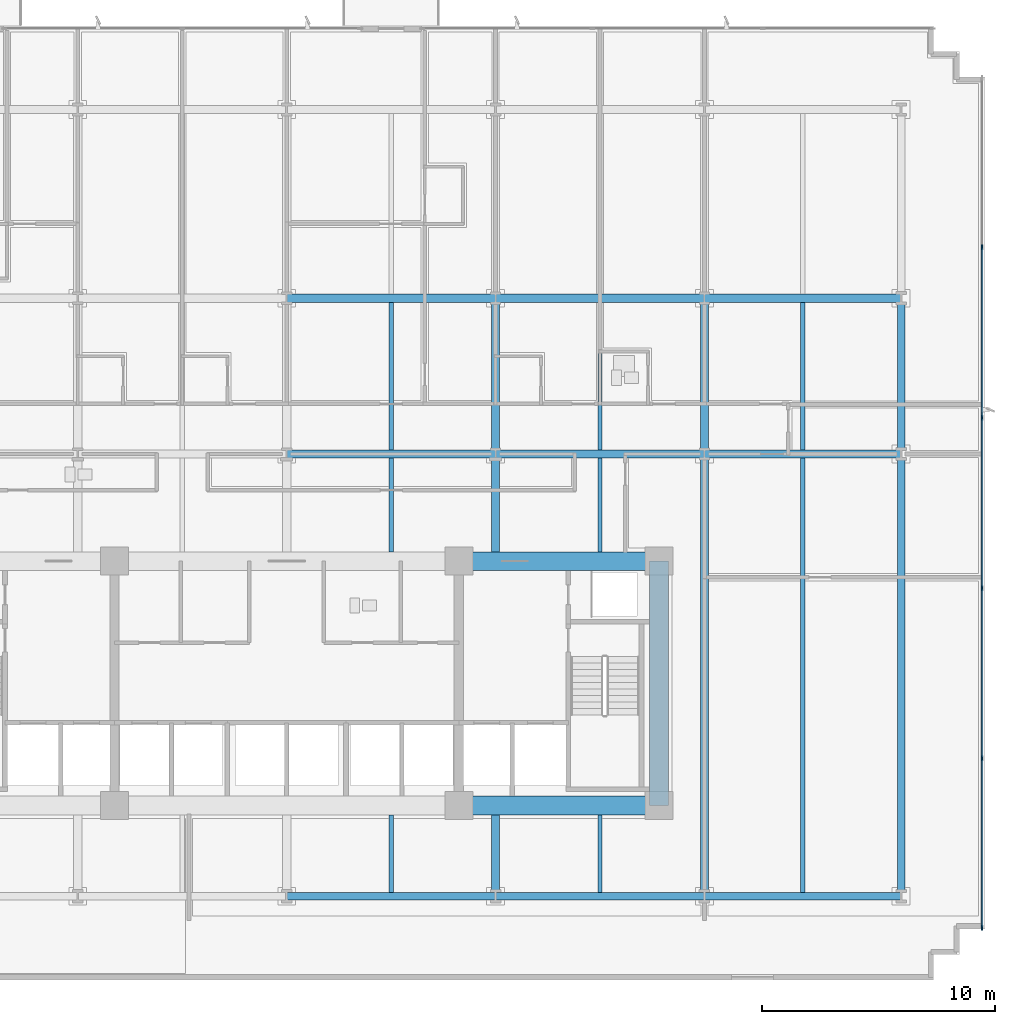
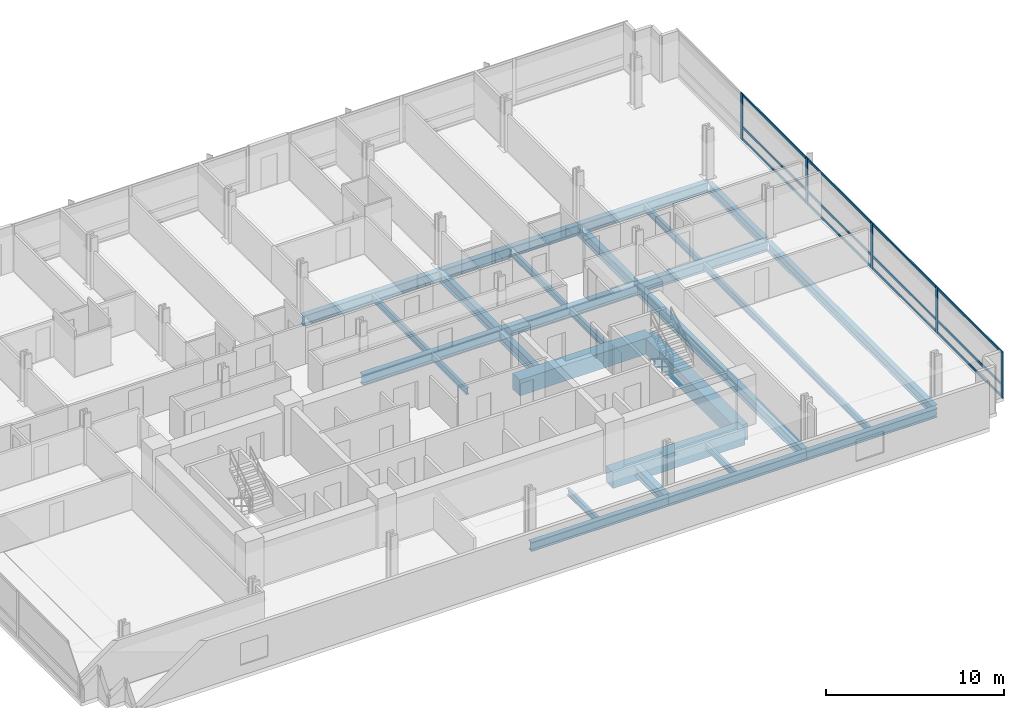
# One storey, part 4 of 16: 27 beams, 17 members, 1 element without a shape of its own.
"""IFC4 building model written with IfcOpenShell, lengths in metres."""

from ifc_helpers import new_model, si_unit, direction, frame, origin, origin_2d, place, context, subcontext, project, spatial, rectangle, i_section, extrude, material, material_profile, profile_set, type_object, element, aggregate, save


model = new_model("IFC4")

# Units and contexts
model_context = context("Model", 3, precision=1e-05, world=origin(), true_north=direction((0.0, 1.0)))
body_context = subcontext(model_context, "Body", "Model", "MODEL_VIEW")
ifc_project = project(units=[si_unit("LENGTHUNIT", "METRE"), si_unit("AREAUNIT", "SQUARE_METRE"), si_unit("VOLUMEUNIT", "CUBIC_METRE"), si_unit("PLANEANGLEUNIT", "RADIAN"), si_unit("MASSUNIT", "GRAM", prefix="KILO")], contexts=[model_context])

# Site, building, storey
site_placement = place(None, origin())
site = spatial("IfcSite", under=ifc_project, at=site_placement, CompositionType="ELEMENT")
building_placement = place(site_placement, origin())
building = spatial("IfcBuilding", under=site, at=building_placement, Name="Solmavex Isthmus Hotel", CompositionType="ELEMENT")
storey_placement = place(building_placement, frame((0.0, 0.0, 67.800048828125)))
storey = spatial("IfcBuildingStorey", under=building, at=storey_placement, Name="L18", CompositionType="ELEMENT", Elevation=67.800048828125)

# Beams
ifc_material_1 = material(Name="Steel ASTM A992 Grade 50", Category="steel")
ifc_material_profile_1 = material_profile(ifc_material_1, i_section(OverallWidth=0.354736328125, OverallDepth=0.695556640625, WebThickness=0.015380859375, FlangeThickness=0.02490234375, FilletRadius=0.017822265625, at=origin_2d()), Name="W27X146")
ifc_profile_set_1 = profile_set([ifc_material_profile_1], Name="Steel ASTM A992 Grade 50")
beam_type_1 = type_object("IfcBeamType", Name="BM-BG-W27X146", PredefinedType="BEAM", material=ifc_profile_set_1)
beam_1_placement = place(storey_placement, frame((0.0, 2.10009765625, -0.60791015625), z_axis=(1.0, 0.0, 0.0), x_axis=(0.0, 1.0, 0.0)))
element("IfcBeam", 1, at=beam_1_placement, inside=storey, type_object=beam_type_1, Name="Floor Girder L18-UG10", PredefinedType="BEAM", context=body_context, shape_type="SweptSolid", body=[
    extrude(i_section(OverallWidth=0.354736328125, OverallDepth=0.695556640625, WebThickness=0.015380859375, FlangeThickness=0.02490234375, FilletRadius=0.017822265625, at=origin_2d()), origin(), (0.0, 0.0, 1.0), 8.97607421875),
])
beam_2_placement = place(storey_placement, frame((8.97607421875, 2.10009765625, -0.60791015625), z_axis=(1.0, 0.0, 0.0), x_axis=(0.0, 1.0, 0.0)))
element("IfcBeam", 2, at=beam_2_placement, inside=storey, type_object=beam_type_1, Name="Floor Girder L18-UG11", PredefinedType="BEAM", context=body_context, shape_type="SweptSolid", body=[
    extrude(i_section(OverallWidth=0.354736328125, OverallDepth=0.695556640625, WebThickness=0.015380859375, FlangeThickness=0.02490234375, FilletRadius=0.017822265625, at=origin_2d()), origin(), (0.0, 0.0, 1.0), 8.975830078125),
])
beam_3_placement = place(storey_placement, frame((17.951904296875, 2.10009765625, -0.60791015625), z_axis=(1.0, 0.0, 0.0), x_axis=(0.0, 1.0, 0.0)))
element("IfcBeam", 3, at=beam_3_placement, inside=storey, type_object=beam_type_1, Name="Floor Girder L18-UG12", PredefinedType="BEAM", context=body_context, shape_type="SweptSolid", body=[
    extrude(i_section(OverallWidth=0.354736328125, OverallDepth=0.695556640625, WebThickness=0.015380859375, FlangeThickness=0.02490234375, FilletRadius=0.017822265625, at=origin_2d()), origin(), (0.0, 0.0, 1.0), 8.447998046875),
])
beam_4_placement = place(storey_placement, frame((0.0, 8.7880859375, -0.60791015625), z_axis=(1.0, 0.0, 0.0), x_axis=(0.0, 1.0, 0.0)))
element("IfcBeam", 4, at=beam_4_placement, inside=storey, type_object=beam_type_1, Name="Floor Girder L18-UG16", PredefinedType="BEAM", context=body_context, shape_type="SweptSolid", body=[
    extrude(i_section(OverallWidth=0.354736328125, OverallDepth=0.695556640625, WebThickness=0.015380859375, FlangeThickness=0.02490234375, FilletRadius=0.017822265625, at=origin_2d()), origin(), (0.0, 0.0, 1.0), 8.97607421875),
])
beam_5_placement = place(storey_placement, frame((8.97607421875, 8.7880859375, -0.60791015625), z_axis=(1.0, 0.0, 0.0), x_axis=(0.0, 1.0, 0.0)))
element("IfcBeam", 5, at=beam_5_placement, inside=storey, type_object=beam_type_1, Name="Floor Girder L18-UG17", PredefinedType="BEAM", context=body_context, shape_type="SweptSolid", body=[
    extrude(i_section(OverallWidth=0.354736328125, OverallDepth=0.695556640625, WebThickness=0.015380859375, FlangeThickness=0.02490234375, FilletRadius=0.017822265625, at=origin_2d()), origin(), (0.0, 0.0, 1.0), 8.975830078125),
])
beam_6_placement = place(storey_placement, frame((17.951904296875, 8.7880859375, -0.60791015625), z_axis=(1.0, 0.0, 0.0), x_axis=(0.0, 1.0, 0.0)))
element("IfcBeam", 6, at=beam_6_placement, inside=storey, type_object=beam_type_1, Name="Floor Girder L18-UG18", PredefinedType="BEAM", context=body_context, shape_type="SweptSolid", body=[
    extrude(i_section(OverallWidth=0.354736328125, OverallDepth=0.695556640625, WebThickness=0.015380859375, FlangeThickness=0.02490234375, FilletRadius=0.017822265625, at=origin_2d()), origin(), (0.0, 0.0, 1.0), 8.447998046875),
])
beam_7_placement = place(storey_placement, frame((8.97607421875, -16.73681640625, -0.60791015625), z_axis=(0.0, 1.0, 0.0), x_axis=(-1.0, 0.0, 0.0)))
element("IfcBeam", 7, at=beam_7_placement, inside=storey, type_object=beam_type_1, Name="Floor Beam L18-VG39", PredefinedType="BEAM", context=body_context, shape_type="SweptSolid", body=[
    extrude(i_section(OverallWidth=0.354736328125, OverallDepth=0.695556640625, WebThickness=0.015380859375, FlangeThickness=0.02490234375, FilletRadius=0.017822265625, at=origin_2d()), origin(), (0.0, 0.0, 1.0), 3.3369140625),
])
beam_8_placement = place(storey_placement, frame((8.97607421875, -2.10009765625, -0.60791015625), z_axis=(0.0, 1.0, 0.0), x_axis=(-1.0, 0.0, 0.0)))
element("IfcBeam", 8, at=beam_8_placement, inside=storey, type_object=beam_type_1, Name="Floor Beam L18-VG40", PredefinedType="BEAM", context=body_context, shape_type="SweptSolid", body=[
    extrude(i_section(OverallWidth=0.354736328125, OverallDepth=0.695556640625, WebThickness=0.015380859375, FlangeThickness=0.02490234375, FilletRadius=0.017822265625, at=origin_2d()), origin(), (0.0, 0.0, 1.0), 4.022705078125),
])
beam_9_placement = place(storey_placement, frame((8.97607421875, 2.27734375, -0.60791015625), z_axis=(0.0, 1.0, 0.0), x_axis=(-1.0, 0.0, 0.0)))
element("IfcBeam", 9, at=beam_9_placement, inside=storey, type_object=beam_type_1, Name="Floor Beam L18-VG41", PredefinedType="BEAM", context=body_context, shape_type="SweptSolid", body=[
    extrude(i_section(OverallWidth=0.354736328125, OverallDepth=0.695556640625, WebThickness=0.015380859375, FlangeThickness=0.02490234375, FilletRadius=0.017822265625, at=origin_2d()), origin(), (0.0, 0.0, 1.0), 6.333251953125),
])
beam_10_placement = place(storey_placement, frame((17.951904296875, -16.73681640625, -0.60791015625), z_axis=(0.0, 1.0, 0.0), x_axis=(-1.0, 0.0, 0.0)))
element("IfcBeam", 10, at=beam_10_placement, inside=storey, type_object=beam_type_1, Name="Floor Beam L18-VG43", PredefinedType="BEAM", context=body_context, shape_type="SweptSolid", body=[
    extrude(i_section(OverallWidth=0.354736328125, OverallDepth=0.695556640625, WebThickness=0.015380859375, FlangeThickness=0.02490234375, FilletRadius=0.017822265625, at=origin_2d()), origin(), (0.0, 0.0, 1.0), 18.659423828125),
])
beam_11_placement = place(storey_placement, frame((17.951904296875, 2.27734375, -0.60791015625), z_axis=(0.0, 1.0, 0.0), x_axis=(-1.0, 0.0, 0.0)))
element("IfcBeam", 11, at=beam_11_placement, inside=storey, type_object=beam_type_1, Name="Floor Beam L18-VG44", PredefinedType="BEAM", context=body_context, shape_type="SweptSolid", body=[
    extrude(i_section(OverallWidth=0.354736328125, OverallDepth=0.695556640625, WebThickness=0.015380859375, FlangeThickness=0.02490234375, FilletRadius=0.017822265625, at=origin_2d()), origin(), (0.0, 0.0, 1.0), 6.333251953125),
])
ifc_material_profile_2 = material_profile(ifc_material_1, i_section(OverallWidth=0.1904296875, OverallDepth=0.456787109375, WebThickness=0.009033203125, FlangeThickness=0.014404296875, FilletRadius=0.0126953125, at=origin_2d()), Name="W18X50")
ifc_profile_set_2 = profile_set([ifc_material_profile_2], Name="Steel ASTM A992 Grade 50")
beam_type_2 = type_object("IfcBeamType", Name="BM-BJ-W18X50", PredefinedType="JOIST", material=ifc_profile_set_2)
beam_12_placement = place(storey_placement, frame((4.488037109375, -16.73681640625, -0.488525390625), z_axis=(0.0, 1.0, 0.0), x_axis=(-1.0, 0.0, 0.0)))
element("IfcBeam", 12, at=beam_12_placement, inside=storey, type_object=beam_type_2, Name="Secondary Floor Joist L18-J12", PredefinedType="JOIST", context=body_context, shape_type="SweptSolid", body=[
    extrude(i_section(OverallWidth=0.1904296875, OverallDepth=0.456787109375, WebThickness=0.009033203125, FlangeThickness=0.014404296875, FilletRadius=0.0126953125, at=origin_2d()), origin(), (0.0, 0.0, 1.0), 3.3369140625),
])
beam_13_placement = place(storey_placement, frame((4.488037109375, -2.10009765625, -0.488525390625), z_axis=(0.0, 1.0, 0.0), x_axis=(-1.0, 0.0, 0.0)))
element("IfcBeam", 13, at=beam_13_placement, inside=storey, type_object=beam_type_2, Name="Secondary Floor Joist L18-J13", PredefinedType="JOIST", context=body_context, shape_type="SweptSolid", body=[
    extrude(i_section(OverallWidth=0.1904296875, OverallDepth=0.456787109375, WebThickness=0.009033203125, FlangeThickness=0.014404296875, FilletRadius=0.0126953125, at=origin_2d()), origin(), (0.0, 0.0, 1.0), 4.022705078125),
])
beam_14_placement = place(storey_placement, frame((4.488037109375, 2.27734375, -0.488525390625), z_axis=(0.0, 1.0, 0.0), x_axis=(-1.0, 0.0, 0.0)))
element("IfcBeam", 14, at=beam_14_placement, inside=storey, type_object=beam_type_2, Name="Secondary Floor Joist L18-J14", PredefinedType="JOIST", context=body_context, shape_type="SweptSolid", body=[
    extrude(i_section(OverallWidth=0.1904296875, OverallDepth=0.456787109375, WebThickness=0.009033203125, FlangeThickness=0.014404296875, FilletRadius=0.0126953125, at=origin_2d()), origin(), (0.0, 0.0, 1.0), 6.333251953125),
])
beam_15_placement = place(storey_placement, frame((13.464111328125, -16.73681640625, -0.488525390625), z_axis=(0.0, 1.0, 0.0), x_axis=(-1.0, 0.0, 0.0)))
element("IfcBeam", 15, at=beam_15_placement, inside=storey, type_object=beam_type_2, Name="Secondary Floor Joist L18-J16", PredefinedType="JOIST", context=body_context, shape_type="SweptSolid", body=[
    extrude(i_section(OverallWidth=0.1904296875, OverallDepth=0.456787109375, WebThickness=0.009033203125, FlangeThickness=0.014404296875, FilletRadius=0.0126953125, at=origin_2d()), origin(), (0.0, 0.0, 1.0), 3.3369140625),
])
beam_16_placement = place(storey_placement, frame((13.464111328125, -2.10009765625, -0.488525390625), z_axis=(0.0, 1.0, 0.0), x_axis=(-1.0, 0.0, 0.0)))
element("IfcBeam", 16, at=beam_16_placement, inside=storey, type_object=beam_type_2, Name="Secondary Floor Joist L18-J17", PredefinedType="JOIST", context=body_context, shape_type="SweptSolid", body=[
    extrude(i_section(OverallWidth=0.1904296875, OverallDepth=0.456787109375, WebThickness=0.009033203125, FlangeThickness=0.014404296875, FilletRadius=0.0126953125, at=origin_2d()), origin(), (0.0, 0.0, 1.0), 4.022705078125),
])
beam_17_placement = place(storey_placement, frame((13.464111328125, 2.27734375, -0.488525390625), z_axis=(0.0, 1.0, 0.0), x_axis=(-1.0, 0.0, 0.0)))
element("IfcBeam", 17, at=beam_17_placement, inside=storey, type_object=beam_type_2, Name="Secondary Floor Joist L18-J18", PredefinedType="JOIST", context=body_context, shape_type="SweptSolid", body=[
    extrude(i_section(OverallWidth=0.1904296875, OverallDepth=0.456787109375, WebThickness=0.009033203125, FlangeThickness=0.014404296875, FilletRadius=0.0126953125, at=origin_2d()), origin(), (0.0, 0.0, 1.0), 6.333251953125),
])
beam_18_placement = place(storey_placement, frame((22.176025390625, -16.73681640625, -0.488525390625), z_axis=(0.0, 1.0, 0.0), x_axis=(-1.0, 0.0, 0.0)))
element("IfcBeam", 18, at=beam_18_placement, inside=storey, type_object=beam_type_2, Name="Secondary Floor Joist L18-J20", PredefinedType="JOIST", context=body_context, shape_type="SweptSolid", body=[
    extrude(i_section(OverallWidth=0.1904296875, OverallDepth=0.456787109375, WebThickness=0.009033203125, FlangeThickness=0.014404296875, FilletRadius=0.0126953125, at=origin_2d()), origin(), (0.0, 0.0, 1.0), 18.659423828125),
])
beam_19_placement = place(storey_placement, frame((22.176025390625, 2.27734375, -0.488525390625), z_axis=(0.0, 1.0, 0.0), x_axis=(-1.0, 0.0, 0.0)))
element("IfcBeam", 19, at=beam_19_placement, inside=storey, type_object=beam_type_2, Name="Secondary Floor Joist L18-J21", PredefinedType="JOIST", context=body_context, shape_type="SweptSolid", body=[
    extrude(i_section(OverallWidth=0.1904296875, OverallDepth=0.456787109375, WebThickness=0.009033203125, FlangeThickness=0.014404296875, FilletRadius=0.0126953125, at=origin_2d()), origin(), (0.0, 0.0, 1.0), 6.333251953125),
])
ifc_material_2 = material(Name="Concrete C70/85", Category="concrete")
ifc_material_profile_3 = material_profile(ifc_material_2, rectangle(XDim=0.800048828125, YDim=1.10009765625, at=origin_2d()), Name="RC800X1100")
ifc_profile_set_3 = profile_set([ifc_material_profile_3], Name="Concrete C70/85")
beam_type_3 = type_object("IfcBeamType", Name="BM-CB-800X1100", PredefinedType="BEAM", material=ifc_profile_set_3)
for number, where, z_axis, x_axis, name in (
    (20, (7.39990234375, -13.0, -0.81005859375), (1.0, 0.0, 0.0), (0.0, 1.0, 0.0), "Core Coupling Beam L18-CB3"),
    (21, (7.39990234375, -2.5, -0.81005859375), (1.0, 0.0, 0.0), (0.0, 1.0, 0.0), "Core Coupling Beam L18-CB6"),
):
    element("IfcBeam", number, at=place(storey_placement, frame(where, z_axis=z_axis, x_axis=x_axis)), inside=storey, type_object=beam_type_3, Name=name, PredefinedType="BEAM", context=body_context, shape_type="SweptSolid", body=[
        extrude(rectangle(XDim=0.800048828125, YDim=1.10009765625, at=origin_2d()), origin(), (0.0, 0.0, 1.0), 8.60009765625),
    ])
beam_20_placement = place(storey_placement, frame((16.0, -13.0, -0.81005859375), z_axis=(0.0, 1.0, 0.0), x_axis=(-1.0, 0.0, 0.0)))
element("IfcBeam", 22, at=beam_20_placement, inside=storey, type_object=beam_type_3, Name="Core Coupling Beam L18-CB8", PredefinedType="BEAM", context=body_context, shape_type="SweptSolid", body=[
    extrude(rectangle(XDim=0.800048828125, YDim=1.10009765625, at=origin_2d()), origin(), (0.0, 0.0, 1.0), 10.5),
])
ifc_material_profile_4 = material_profile(ifc_material_1, i_section(OverallWidth=0.326416015625, OverallDepth=0.621826171875, WebThickness=0.015380859375, FlangeThickness=0.0244140625, FilletRadius=0.01513671875, at=origin_2d()), Name="W24X131")
ifc_profile_set_4 = profile_set([ifc_material_profile_4], Name="Steel ASTM A992 Grade 50")
beam_type_4 = type_object("IfcBeamType", Name="BM-SP-W24X131", PredefinedType="SPANDREL", material=ifc_profile_set_4)
beam_21_placement = place(storey_placement, frame((0.0, -16.89990234375, -0.571044921875), z_axis=(1.0, 0.0, 0.0), x_axis=(0.0, 1.0, 0.0)))
element("IfcBeam", 23, at=beam_21_placement, inside=storey, type_object=beam_type_4, Name="Floor Girder L18-UG04", PredefinedType="SPANDREL", context=body_context, shape_type="SweptSolid", body=[
    extrude(i_section(OverallWidth=0.326416015625, OverallDepth=0.621826171875, WebThickness=0.015380859375, FlangeThickness=0.0244140625, FilletRadius=0.01513671875, at=origin_2d()), origin(), (0.0, 0.0, 1.0), 8.97607421875),
])
beam_22_placement = place(storey_placement, frame((8.97607421875, -16.89990234375, -0.571044921875), z_axis=(1.0, 0.0, 0.0), x_axis=(0.0, 1.0, 0.0)))
element("IfcBeam", 24, at=beam_22_placement, inside=storey, type_object=beam_type_4, Name="Floor Girder L18-UG05", PredefinedType="SPANDREL", context=body_context, shape_type="SweptSolid", body=[
    extrude(i_section(OverallWidth=0.326416015625, OverallDepth=0.621826171875, WebThickness=0.015380859375, FlangeThickness=0.0244140625, FilletRadius=0.01513671875, at=origin_2d()), origin(), (0.0, 0.0, 1.0), 8.975830078125),
])
beam_23_placement = place(storey_placement, frame((17.951904296875, -16.89990234375, -0.571044921875), z_axis=(1.0, 0.0, 0.0), x_axis=(0.0, 1.0, 0.0)))
element("IfcBeam", 25, at=beam_23_placement, inside=storey, type_object=beam_type_4, Name="Floor Girder L18-UG06", PredefinedType="SPANDREL", context=body_context, shape_type="SweptSolid", body=[
    extrude(i_section(OverallWidth=0.326416015625, OverallDepth=0.621826171875, WebThickness=0.015380859375, FlangeThickness=0.0244140625, FilletRadius=0.01513671875, at=origin_2d()), origin(), (0.0, 0.0, 1.0), 8.447998046875),
])
beam_24_placement = place(storey_placement, frame((26.39990234375, -16.73681640625, -0.571044921875), z_axis=(0.0, 1.0, 0.0), x_axis=(-1.0, 0.0, 0.0)))
element("IfcBeam", 26, at=beam_24_placement, inside=storey, type_object=beam_type_4, Name="Floor Beam L18-VG46", PredefinedType="SPANDREL", context=body_context, shape_type="SweptSolid", body=[
    extrude(i_section(OverallWidth=0.326416015625, OverallDepth=0.621826171875, WebThickness=0.015380859375, FlangeThickness=0.0244140625, FilletRadius=0.01513671875, at=origin_2d()), origin(), (0.0, 0.0, 1.0), 18.659423828125),
])
beam_25_placement = place(storey_placement, frame((26.39990234375, 2.27734375, -0.571044921875), z_axis=(0.0, 1.0, 0.0), x_axis=(-1.0, 0.0, 0.0)))
element("IfcBeam", 27, at=beam_25_placement, inside=storey, type_object=beam_type_4, Name="Floor Beam L18-VG47", PredefinedType="SPANDREL", context=body_context, shape_type="SweptSolid", body=[
    extrude(i_section(OverallWidth=0.326416015625, OverallDepth=0.621826171875, WebThickness=0.015380859375, FlangeThickness=0.0244140625, FilletRadius=0.01513671875, at=origin_2d()), origin(), (0.0, 0.0, 1.0), 6.333251953125),
])

# Curtain wall, members
ifc_material_3 = material(Name="Aluminium alloy 6063-T6", Category="aluminium")
curtain_wall_type = type_object("IfcCurtainWallType", Name="CW-SYS-02", PredefinedType="NOTDEFINED", material=ifc_material_3)
curtain_wall_placement = place(storey_placement, origin())
curtain_wall = element("IfcCurtainWall", 28, at=curtain_wall_placement, inside=storey, type_object=curtain_wall_type, Name="Stick Curtain Wall CWL-L18-E1", PredefinedType="NOTDEFINED")
ifc_material_profile_5 = material_profile(ifc_material_3, rectangle(XDim=0.074951171875, YDim=0.219970703125, at=origin_2d()), Name="CWM-75X220")
ifc_profile_set_5 = profile_set([ifc_material_profile_5], Name="Aluminium alloy 6063-T6")
member_type_1 = type_object("IfcMemberType", Name="CW-SYS-02-MUL", PredefinedType="MULLION", material=ifc_profile_set_5)
member_1_placement = place(storey_placement, frame((29.8798828125, -18.262451171875, 0.0), z_axis=(0.0, 0.0, 1.0), x_axis=(-1.0, 0.0, 0.0)))
member_1 = element("IfcMember", 29, at=member_1_placement, type_object=member_type_1, Name="CW-02 mullion 1", PredefinedType="MULLION", context=body_context, shape_type="SweptSolid", body=[
    extrude(rectangle(XDim=0.074951171875, YDim=0.219970703125, at=origin_2d()), origin(), (0.0, 0.0, 1.0), 3.18994140625),
])
member_2_placement = place(storey_placement, frame((29.8798828125, -10.97998046875, 0.0), z_axis=(0.0, 0.0, 1.0), x_axis=(-1.0, 0.0, 0.0)))
member_2 = element("IfcMember", 30, at=member_2_placement, type_object=member_type_1, Name="CW-02 mullion 2", PredefinedType="MULLION", context=body_context, shape_type="SweptSolid", body=[
    extrude(rectangle(XDim=0.074951171875, YDim=0.219970703125, at=origin_2d()), origin(), (0.0, 0.0, 1.0), 3.18994140625),
])
member_3_placement = place(storey_placement, frame((29.8798828125, -3.659912109375, 0.0), z_axis=(0.0, 0.0, 1.0), x_axis=(-1.0, 0.0, 0.0)))
member_3 = element("IfcMember", 31, at=member_3_placement, type_object=member_type_1, Name="CW-02 mullion 3", PredefinedType="MULLION", context=body_context, shape_type="SweptSolid", body=[
    extrude(rectangle(XDim=0.074951171875, YDim=0.219970703125, at=origin_2d()), origin(), (0.0, 0.0, 1.0), 3.18994140625),
])
member_4_placement = place(storey_placement, frame((29.8798828125, 3.659912109375, 0.0), z_axis=(0.0, 0.0, 1.0), x_axis=(-1.0, 0.0, 0.0)))
member_4 = element("IfcMember", 32, at=member_4_placement, type_object=member_type_1, Name="CW-02 mullion 4", PredefinedType="MULLION", context=body_context, shape_type="SweptSolid", body=[
    extrude(rectangle(XDim=0.074951171875, YDim=0.219970703125, at=origin_2d()), origin(), (0.0, 0.0, 1.0), 3.18994140625),
])
member_5_placement = place(storey_placement, frame((29.8798828125, 10.97998046875, 0.0), z_axis=(0.0, 0.0, 1.0), x_axis=(-1.0, 0.0, 0.0)))
member_5 = element("IfcMember", 33, at=member_5_placement, type_object=member_type_1, Name="CW-02 mullion 5", PredefinedType="MULLION", context=body_context, shape_type="SweptSolid", body=[
    extrude(rectangle(XDim=0.074951171875, YDim=0.219970703125, at=origin_2d()), origin(), (0.0, 0.0, 1.0), 3.18994140625),
])
ifc_material_profile_6 = material_profile(ifc_material_3, rectangle(XDim=0.074951171875, YDim=0.159912109375, at=origin_2d()), Name="CWT-75X160")
ifc_profile_set_6 = profile_set([ifc_material_profile_6], Name="Aluminium alloy 6063-T6")
member_type_2 = type_object("IfcMemberType", Name="CW-SYS-02-TRN", PredefinedType="USERDEFINED", material=ifc_profile_set_6)
member_6_placement = place(storey_placement, frame((29.8798828125, -18.22509765625, 0.079833984375), z_axis=(0.0, 1.0, 0.0), x_axis=(-1.0, 0.0, 0.0)))
member_6 = element("IfcMember", 34, at=member_6_placement, type_object=member_type_2, Name="CW-02 transom 1.1", ObjectType="TRANSOM", PredefinedType="USERDEFINED", context=body_context, shape_type="SweptSolid", body=[
    extrude(rectangle(XDim=0.074951171875, YDim=0.159912109375, at=origin_2d()), origin(), (0.0, 0.0, 1.0), 7.20751953125),
])
member_7_placement = place(storey_placement, frame((29.8798828125, -18.22509765625, 0.89990234375), z_axis=(0.0, 1.0, 0.0), x_axis=(-1.0, 0.0, 0.0)))
member_7 = element("IfcMember", 35, at=member_7_placement, type_object=member_type_2, Name="CW-02 transom 1.2", ObjectType="TRANSOM", PredefinedType="USERDEFINED", context=body_context, shape_type="SweptSolid", body=[
    extrude(rectangle(XDim=0.074951171875, YDim=0.159912109375, at=origin_2d()), origin(), (0.0, 0.0, 1.0), 7.20751953125),
])
member_8_placement = place(storey_placement, frame((29.8798828125, -18.22509765625, 3.10986328125), z_axis=(0.0, 1.0, 0.0), x_axis=(-1.0, 0.0, 0.0)))
member_8 = element("IfcMember", 36, at=member_8_placement, type_object=member_type_2, Name="CW-02 transom 1.3", ObjectType="TRANSOM", PredefinedType="USERDEFINED", context=body_context, shape_type="SweptSolid", body=[
    extrude(rectangle(XDim=0.074951171875, YDim=0.159912109375, at=origin_2d()), origin(), (0.0, 0.0, 1.0), 7.20751953125),
])
member_9_placement = place(storey_placement, frame((29.8798828125, -10.9423828125, 0.079833984375), z_axis=(0.0, 1.0, 0.0), x_axis=(-1.0, 0.0, 0.0)))
member_9 = element("IfcMember", 37, at=member_9_placement, type_object=member_type_2, Name="CW-02 transom 2.1", ObjectType="TRANSOM", PredefinedType="USERDEFINED", context=body_context, shape_type="SweptSolid", body=[
    extrude(rectangle(XDim=0.074951171875, YDim=0.159912109375, at=origin_2d()), origin(), (0.0, 0.0, 1.0), 7.244873046875),
])
member_10_placement = place(storey_placement, frame((29.8798828125, -10.9423828125, 0.89990234375), z_axis=(0.0, 1.0, 0.0), x_axis=(-1.0, 0.0, 0.0)))
member_10 = element("IfcMember", 38, at=member_10_placement, type_object=member_type_2, Name="CW-02 transom 2.2", ObjectType="TRANSOM", PredefinedType="USERDEFINED", context=body_context, shape_type="SweptSolid", body=[
    extrude(rectangle(XDim=0.074951171875, YDim=0.159912109375, at=origin_2d()), origin(), (0.0, 0.0, 1.0), 7.244873046875),
])
member_11_placement = place(storey_placement, frame((29.8798828125, -10.9423828125, 3.10986328125), z_axis=(0.0, 1.0, 0.0), x_axis=(-1.0, 0.0, 0.0)))
member_11 = element("IfcMember", 39, at=member_11_placement, type_object=member_type_2, Name="CW-02 transom 2.3", ObjectType="TRANSOM", PredefinedType="USERDEFINED", context=body_context, shape_type="SweptSolid", body=[
    extrude(rectangle(XDim=0.074951171875, YDim=0.159912109375, at=origin_2d()), origin(), (0.0, 0.0, 1.0), 7.244873046875),
])
member_12_placement = place(storey_placement, frame((29.8798828125, -3.62255859375, 0.079833984375), z_axis=(0.0, 1.0, 0.0), x_axis=(-1.0, 0.0, 0.0)))
member_12 = element("IfcMember", 40, at=member_12_placement, type_object=member_type_2, Name="CW-02 transom 3.1", ObjectType="TRANSOM", PredefinedType="USERDEFINED", context=body_context, shape_type="SweptSolid", body=[
    extrude(rectangle(XDim=0.074951171875, YDim=0.159912109375, at=origin_2d()), origin(), (0.0, 0.0, 1.0), 7.2451171875),
])
member_13_placement = place(storey_placement, frame((29.8798828125, -3.62255859375, 0.89990234375), z_axis=(0.0, 1.0, 0.0), x_axis=(-1.0, 0.0, 0.0)))
member_13 = element("IfcMember", 41, at=member_13_placement, type_object=member_type_2, Name="CW-02 transom 3.2", ObjectType="TRANSOM", PredefinedType="USERDEFINED", context=body_context, shape_type="SweptSolid", body=[
    extrude(rectangle(XDim=0.074951171875, YDim=0.159912109375, at=origin_2d()), origin(), (0.0, 0.0, 1.0), 7.2451171875),
])
member_14_placement = place(storey_placement, frame((29.8798828125, -3.62255859375, 3.10986328125), z_axis=(0.0, 1.0, 0.0), x_axis=(-1.0, 0.0, 0.0)))
member_14 = element("IfcMember", 42, at=member_14_placement, type_object=member_type_2, Name="CW-02 transom 3.3", ObjectType="TRANSOM", PredefinedType="USERDEFINED", context=body_context, shape_type="SweptSolid", body=[
    extrude(rectangle(XDim=0.074951171875, YDim=0.159912109375, at=origin_2d()), origin(), (0.0, 0.0, 1.0), 7.2451171875),
])
member_15_placement = place(storey_placement, frame((29.8798828125, 3.697509765625, 0.079833984375), z_axis=(0.0, 1.0, 0.0), x_axis=(-1.0, 0.0, 0.0)))
member_15 = element("IfcMember", 43, at=member_15_placement, type_object=member_type_2, Name="CW-02 transom 4.1", ObjectType="TRANSOM", PredefinedType="USERDEFINED", context=body_context, shape_type="SweptSolid", body=[
    extrude(rectangle(XDim=0.074951171875, YDim=0.159912109375, at=origin_2d()), origin(), (0.0, 0.0, 1.0), 7.244873046875),
])
member_16_placement = place(storey_placement, frame((29.8798828125, 3.697509765625, 0.89990234375), z_axis=(0.0, 1.0, 0.0), x_axis=(-1.0, 0.0, 0.0)))
member_16 = element("IfcMember", 44, at=member_16_placement, type_object=member_type_2, Name="CW-02 transom 4.2", ObjectType="TRANSOM", PredefinedType="USERDEFINED", context=body_context, shape_type="SweptSolid", body=[
    extrude(rectangle(XDim=0.074951171875, YDim=0.159912109375, at=origin_2d()), origin(), (0.0, 0.0, 1.0), 7.244873046875),
])
member_17_placement = place(storey_placement, frame((29.8798828125, 3.697509765625, 3.10986328125), z_axis=(0.0, 1.0, 0.0), x_axis=(-1.0, 0.0, 0.0)))
member_17 = element("IfcMember", 45, at=member_17_placement, type_object=member_type_2, Name="CW-02 transom 4.3", ObjectType="TRANSOM", PredefinedType="USERDEFINED", context=body_context, shape_type="SweptSolid", body=[
    extrude(rectangle(XDim=0.074951171875, YDim=0.159912109375, at=origin_2d()), origin(), (0.0, 0.0, 1.0), 7.244873046875),
])
aggregate(curtain_wall, [member_1, member_2, member_3, member_4, member_5, member_6, member_7, member_8, member_9, member_10, member_11, member_12, member_13, member_14, member_15, member_16, member_17])

save(model, "model.ifc")
